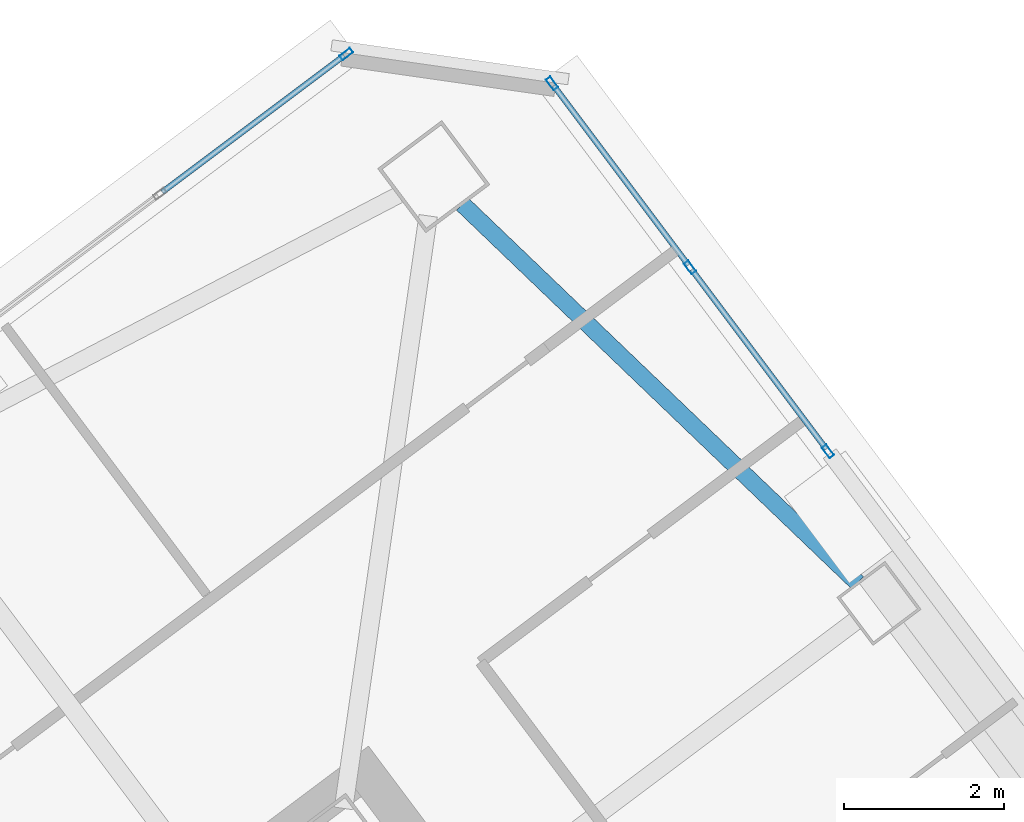
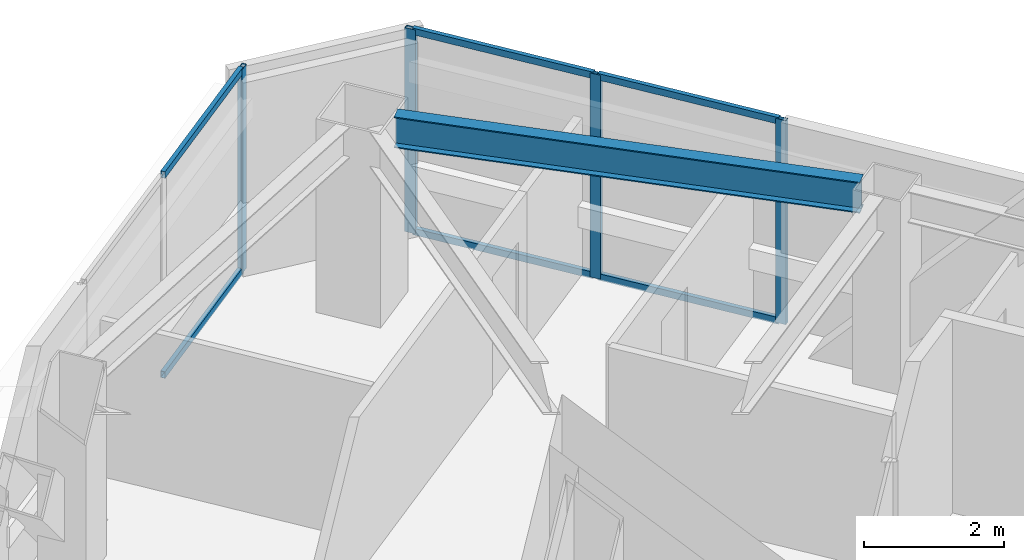
# One storey, part 27 of 39: 10 members, 1 beam, 2 elements without a shape of their own.
"""IFC4 building model written with IfcOpenShell, lengths in metres."""

from ifc_helpers import new_model, si_unit, direction, frame, origin, origin_2d, place, context, subcontext, project, spatial, hollow_rectangle, i_section, extrude, material, material_profile, profile_set, type_object, element, aggregate, save


model = new_model("IFC4")

# Units and contexts
model_context = context("Model", 3, precision=1e-05, world=origin(), true_north=direction((0.0, 1.0)))
body_context = subcontext(model_context, "Body", "Model", "MODEL_VIEW")
ifc_project = project(units=[si_unit("LENGTHUNIT", "METRE"), si_unit("AREAUNIT", "SQUARE_METRE"), si_unit("VOLUMEUNIT", "CUBIC_METRE"), si_unit("PLANEANGLEUNIT", "RADIAN"), si_unit("MASSUNIT", "GRAM", prefix="KILO")], contexts=[model_context])

# Site, building, storey
site_placement = place(None, origin())
site = spatial("IfcSite", under=ifc_project, at=site_placement, CompositionType="ELEMENT")
building_placement = place(site_placement, origin())
building = spatial("IfcBuilding", under=site, at=building_placement, Name="Tashvorn Skyway Center", CompositionType="ELEMENT")
storey_placement = place(building_placement, frame((0.0, 0.0, 239.699951171875)))
storey = spatial("IfcBuildingStorey", under=building, at=storey_placement, Name="L65", CompositionType="ELEMENT", Elevation=239.699951171875)

# Beam
ifc_material_1 = material(Name="Steel ASTM A992 Grade 50", Category="steel")
ifc_material_profile_1 = material_profile(ifc_material_1, i_section(OverallWidth=0.2109375, OverallDepth=0.5390625, WebThickness=0.01171875, FlangeThickness=0.018798828125, at=origin_2d()), Name="W21X73")
ifc_profile_set_1 = profile_set([ifc_material_profile_1], Name="Steel ASTM A992 Grade 50")
beam_type = type_object("IfcBeamType", Name="BM-SPANDREL-W21X73", PredefinedType="SPANDREL", material=ifc_profile_set_1)
beam_placement = place(storey_placement, frame((121.892822265625, 45.1259765625, 3.1005859375), z_axis=(-0.72187522213, 0.69202323926, 0.0), x_axis=(-0.69202323926, -0.72187522213, 0.0)))
element("IfcBeam", 1, at=beam_placement, inside=storey, type_object=beam_type, Name="Tower 2 L65 Spandrel Beam 06", PredefinedType="SPANDREL", context=body_context, shape_type="SweptSolid", body=[
    extrude(i_section(OverallWidth=0.2109375, OverallDepth=0.5390625, WebThickness=0.01171875, FlangeThickness=0.018798828125, at=origin_2d()), origin(), (0.0, 0.0, 1.0), 6.837158203125),
])

# Curtain wall, member
ifc_material_2 = material(Name="Thermally broken bronze-anodized aluminium 6063-T6", Category="aluminium")
curtain_wall_type = type_object("IfcCurtainWallType", Name="CW-CW-Z5", PredefinedType="NOTDEFINED", material=ifc_material_2)
curtain_wall_1_placement = place(storey_placement, origin())
curtain_wall_1 = element("IfcCurtainWall", 2, at=curtain_wall_1_placement, inside=storey, type_object=curtain_wall_type, Name="Tower 2 L65 North Curtain Wall R Glazing Group 1", PredefinedType="NOTDEFINED")
ifc_material_profile_2 = material_profile(ifc_material_2, hollow_rectangle(XDim=0.070068359375, YDim=0.1650390625, WallThickness=0.00390625, at=origin_2d()), Name="ALU-MULL-70x165")
ifc_profile_set_2 = profile_set([ifc_material_profile_2], Name="Thermally broken bronze-anodized aluminium 6063-T6")
member_type_1 = type_object("IfcMemberType", Name="CWM-CW-Z5", PredefinedType="MULLION", material=ifc_profile_set_2)
member_1_placement = place(storey_placement, frame((115.508056640625, 51.73095703125, 0.0), z_axis=(0.0, 0.0, 1.0), x_axis=(-0.600002718021, 0.799997961477, 0.0)))
member_1 = element("IfcMember", 3, at=member_1_placement, type_object=member_type_1, Name="CW-Z5 mullion 3", PredefinedType="MULLION", context=body_context, shape_type="SweptSolid", body=[
    extrude(hollow_rectangle(XDim=0.070068359375, YDim=0.1650390625, WallThickness=0.00390625, at=origin_2d()), origin(), (0.0, 0.0, 1.0), 3.550048828125),
])

# Curtain wall, members
curtain_wall_2_placement = place(storey_placement, origin())
curtain_wall_2 = element("IfcCurtainWall", 4, at=curtain_wall_2_placement, inside=storey, type_object=curtain_wall_type, Name="Tower 2 L65 East Unitised Curtain Wall Glazing Group 1", PredefinedType="NOTDEFINED")
member_2_placement = place(storey_placement, frame((118.076904296875, 51.364013671875, 0.0), z_axis=(0.0, 0.0, 1.0), x_axis=(0.800002064209, 0.599997247712, 0.0)))
member_2 = element("IfcMember", 5, at=member_2_placement, type_object=member_type_1, Name="CW-Z5 mullion 1", PredefinedType="MULLION", context=body_context, shape_type="SweptSolid", body=[
    extrude(hollow_rectangle(XDim=0.070068359375, YDim=0.1650390625, WallThickness=0.00390625, at=origin_2d()), origin(), (0.0, 0.0, 1.0), 3.550048828125),
])
member_3_placement = place(storey_placement, frame((119.800048828125, 49.066650390625, 0.0), z_axis=(0.0, 0.0, 1.0), x_axis=(0.800002064209, 0.599997247712, 0.0)))
member_3 = element("IfcMember", 6, at=member_3_placement, type_object=member_type_1, Name="CW-Z5 mullion 2", PredefinedType="MULLION", context=body_context, shape_type="SweptSolid", body=[
    extrude(hollow_rectangle(XDim=0.070068359375, YDim=0.1650390625, WallThickness=0.00390625, at=origin_2d()), origin(), (0.0, 0.0, 1.0), 3.550048828125),
])
member_4_placement = place(storey_placement, frame((121.52294921875, 46.769287109375, 0.0), z_axis=(0.0, 0.0, 1.0), x_axis=(0.800002064209, 0.599997247712, 0.0)))
member_4 = element("IfcMember", 7, at=member_4_placement, type_object=member_type_1, Name="CW-Z5 mullion 3", PredefinedType="MULLION", context=body_context, shape_type="SweptSolid", body=[
    extrude(hollow_rectangle(XDim=0.070068359375, YDim=0.1650390625, WallThickness=0.00390625, at=origin_2d()), origin(), (0.0, 0.0, 1.0), 3.550048828125),
])

# Member
ifc_material_profile_3 = material_profile(ifc_material_2, hollow_rectangle(XDim=0.070068359375, YDim=0.114990234375, WallThickness=0.00390625, at=origin_2d()), Name="ALU-TRAN-70x115")
ifc_profile_set_3 = profile_set([ifc_material_profile_3], Name="Thermally broken bronze-anodized aluminium 6063-T6")
member_type_2 = type_object("IfcMemberType", Name="CWT-CW-Z5", PredefinedType="USERDEFINED", material=ifc_profile_set_3)
member_5_placement = place(storey_placement, frame((113.209228515625, 50.007080078125, 0.03515625), z_axis=(0.800030964546, 0.59995871172, 0.0), x_axis=(-0.59995871172, 0.800030964546, 0.0)))
member_5 = element("IfcMember", 8, at=member_5_placement, type_object=member_type_2, Name="CW-Z5 transom 2.1", ObjectType="TRANSOM", PredefinedType="USERDEFINED", context=body_context, shape_type="SweptSolid", body=[
    extrude(hollow_rectangle(XDim=0.070068359375, YDim=0.114990234375, WallThickness=0.00390625, at=origin_2d()), origin(), (0.0, 0.0, 1.0), 2.83837890625),
])

member_6_placement = place(storey_placement, frame((113.209228515625, 50.007080078125, 3.51513671875), z_axis=(0.800030964546, 0.59995871172, 0.0), x_axis=(-0.59995871172, 0.800030964546, 0.0)))
member_6 = element("IfcMember", 9, at=member_6_placement, type_object=member_type_2, Name="CW-Z5 transom 2.2", ObjectType="TRANSOM", PredefinedType="USERDEFINED", context=body_context, shape_type="SweptSolid", body=[
    extrude(hollow_rectangle(XDim=0.070068359375, YDim=0.114990234375, WallThickness=0.00390625, at=origin_2d()), origin(), (0.0, 0.0, 1.0), 2.83837890625),
])

aggregate(curtain_wall_1, [member_1, member_5, member_6])

member_7_placement = place(storey_placement, frame((118.097900390625, 51.3359375, 0.03515625), z_axis=(0.600055769046, -0.799958170178, 0.0), x_axis=(0.799958170178, 0.600055769046, 0.0)))
member_7 = element("IfcMember", 10, at=member_7_placement, type_object=member_type_2, Name="CW-Z5 transom 1.1", ObjectType="TRANSOM", PredefinedType="USERDEFINED", context=body_context, shape_type="SweptSolid", body=[
    extrude(hollow_rectangle(XDim=0.070068359375, YDim=0.114990234375, WallThickness=0.00390625, at=origin_2d()), origin(), (0.0, 0.0, 1.0), 2.8017578125),
])

member_8_placement = place(storey_placement, frame((118.097900390625, 51.3359375, 3.51513671875), z_axis=(0.600055769046, -0.799958170178, 0.0), x_axis=(0.799958170178, 0.600055769046, 0.0)))
member_8 = element("IfcMember", 11, at=member_8_placement, type_object=member_type_2, Name="CW-Z5 transom 1.2", ObjectType="TRANSOM", PredefinedType="USERDEFINED", context=body_context, shape_type="SweptSolid", body=[
    extrude(hollow_rectangle(XDim=0.070068359375, YDim=0.114990234375, WallThickness=0.00390625, at=origin_2d()), origin(), (0.0, 0.0, 1.0), 2.8017578125),
])

member_9_placement = place(storey_placement, frame((119.821044921875, 49.03857421875, 0.03515625), z_axis=(0.6, -0.8, 0.0), x_axis=(0.8, 0.6, 0.0)))
member_9 = element("IfcMember", 12, at=member_9_placement, type_object=member_type_2, Name="CW-Z5 transom 2.1", ObjectType="TRANSOM", PredefinedType="USERDEFINED", context=body_context, shape_type="SweptSolid", body=[
    extrude(hollow_rectangle(XDim=0.070068359375, YDim=0.114990234375, WallThickness=0.00390625, at=origin_2d()), origin(), (0.0, 0.0, 1.0), 2.801513671875),
])

member_10_placement = place(storey_placement, frame((119.821044921875, 49.03857421875, 3.51513671875), z_axis=(0.6, -0.8, 0.0), x_axis=(0.8, 0.6, 0.0)))
member_10 = element("IfcMember", 13, at=member_10_placement, type_object=member_type_2, Name="CW-Z5 transom 2.2", ObjectType="TRANSOM", PredefinedType="USERDEFINED", context=body_context, shape_type="SweptSolid", body=[
    extrude(hollow_rectangle(XDim=0.070068359375, YDim=0.114990234375, WallThickness=0.00390625, at=origin_2d()), origin(), (0.0, 0.0, 1.0), 2.801513671875),
])

aggregate(curtain_wall_2, [member_2, member_3, member_4, member_7, member_8, member_9, member_10])

save(model, "model.ifc")
